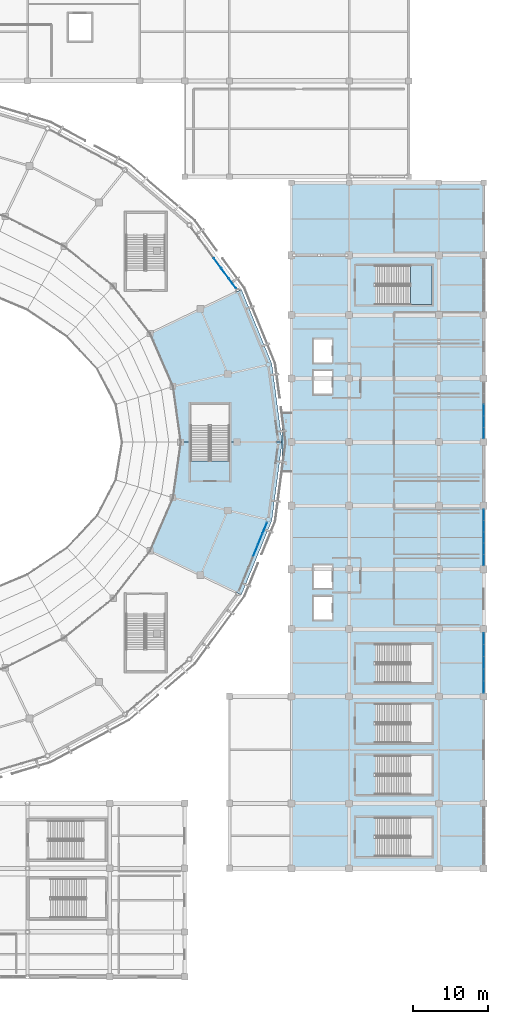
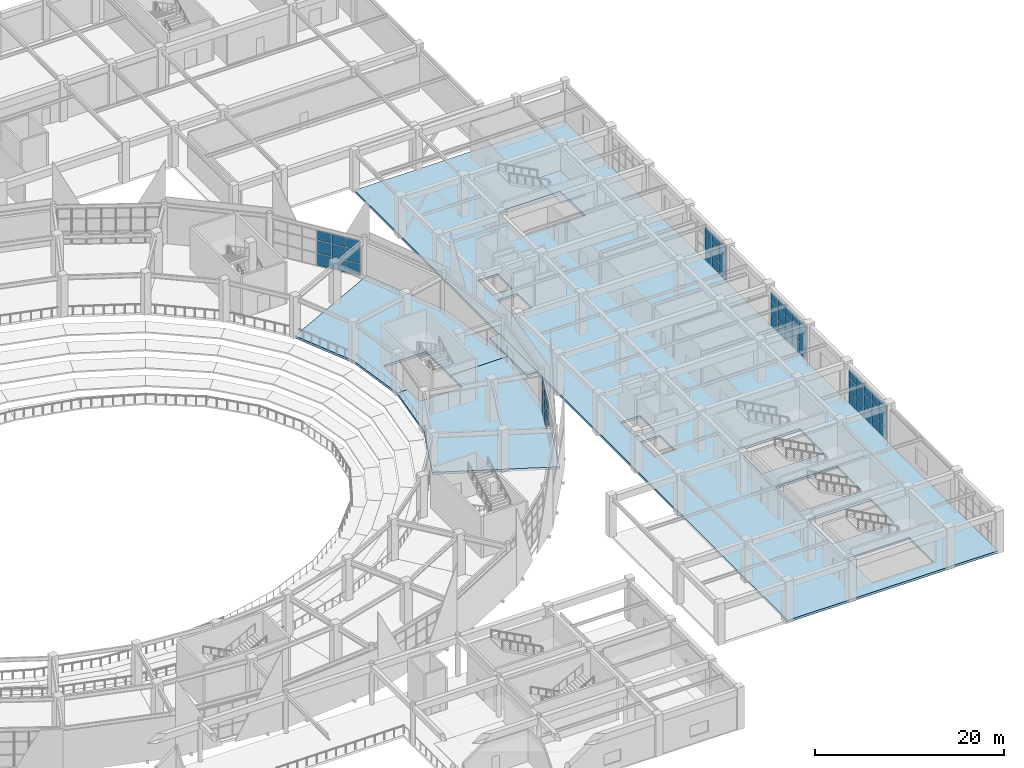
# One storey, part 68 of 120: 56 plates, 5 slabs, 6 elements without a shape of their own.
"""IFC4 building model written with IfcOpenShell, lengths in metres."""

from ifc_helpers import new_model, si_unit, direction, frame, origin, origin_2d, place, context, subcontext, project, spatial, polyline, rectangle, outline, extrude, material, layer, layer_set, type_object, element, aggregate, save


model = new_model("IFC4")

# Units and contexts
model_context = context("Model", 3, precision=1e-05, world=origin(), true_north=direction((0.0, 1.0)))
body_context = subcontext(model_context, "Body", "Model", "MODEL_VIEW")
ifc_project = project(units=[si_unit("LENGTHUNIT", "METRE"), si_unit("AREAUNIT", "SQUARE_METRE"), si_unit("VOLUMEUNIT", "CUBIC_METRE"), si_unit("PLANEANGLEUNIT", "RADIAN"), si_unit("MASSUNIT", "GRAM", prefix="KILO")], contexts=[model_context])

# Site, building, storey
site_placement = place(None, origin())
site = spatial("IfcSite", under=ifc_project, at=site_placement, CompositionType="ELEMENT")
building_placement = place(site_placement, origin())
building = spatial("IfcBuilding", under=site, at=building_placement, Name="Cuetzalor Civic Arena", CompositionType="ELEMENT")
storey_placement = place(building_placement, frame((0.0, 0.0, 6.0)))
storey = spatial("IfcBuildingStorey", under=building, at=storey_placement, Name="L01", CompositionType="ELEMENT", Elevation=6.0)

# Curtain wall, plates
ifc_material_1 = material(Name="Anodised dark bronze aluminium and low-E solar glass", Category="aluminium")
curtain_wall_type_1 = type_object("IfcCurtainWallType", Name="UnitisedCW_10150x4650", PredefinedType="USERDEFINED", material=ifc_material_1)
curtain_wall_1_placement = place(storey_placement, origin())
curtain_wall_1 = element("IfcCurtainWall", 1, at=curtain_wall_1_placement, inside=storey, type_object=curtain_wall_type_1, Name="Drum Triangle Foyer Curtain Wall L01-021", ObjectType="UNITISED CURTAIN WALL", PredefinedType="USERDEFINED")
ifc_material_2 = material(Name="Acoustic laminated solar control glass", Category="glass")
ifc_layer_1 = layer(ifc_material_2, 0.0439453125)
ifc_layer_set_1 = layer_set([ifc_layer_1], Name="Acoustic laminated solar control glass")
plate_type = type_object("IfcPlateType", Name="AcousticTripleGlazedPanel_44", PredefinedType="CURTAIN_PANEL", material=ifc_layer_set_1)
plate_1_placement = place(storey_placement, frame((46.399658203125, 23.9296875, 0.06982421875), z_axis=(0.0, 0.0, 1.0), x_axis=(0.59292931222, -0.805254513002, 0.0)))
plate_1 = element("IfcPlate", 2, at=plate_1_placement, type_object=plate_type, Name="CW-06 panel 4.1", PredefinedType="CURTAIN_PANEL", context=body_context, shape_type="SweptSolid", body=[
    extrude(rectangle(XDim=1.62060546875, YDim=0.0439453125, at=origin_2d()), origin(), (0.0, 0.0, 1.0), 1.570068359375),
])
plate_2_placement = place(storey_placement, frame((46.399658203125, 23.9296875, 1.7099609375), z_axis=(0.0, 0.0, 1.0), x_axis=(0.59292931222, -0.805254513002, 0.0)))
plate_2 = element("IfcPlate", 3, at=plate_2_placement, type_object=plate_type, Name="CW-06 panel 4.2", PredefinedType="CURTAIN_PANEL", context=body_context, shape_type="SweptSolid", body=[
    extrude(rectangle(XDim=1.62060546875, YDim=0.0439453125, at=origin_2d()), origin(), (0.0, 0.0, 1.0), 1.60498046875),
])
plate_3_placement = place(storey_placement, frame((46.399658203125, 23.9296875, 3.384765625), z_axis=(0.0, 0.0, 1.0), x_axis=(0.59292931222, -0.805254513002, 0.0)))
plate_3 = element("IfcPlate", 4, at=plate_3_placement, type_object=plate_type, Name="CW-06 panel 4.3", PredefinedType="CURTAIN_PANEL", context=body_context, shape_type="SweptSolid", body=[
    extrude(rectangle(XDim=1.62060546875, YDim=0.0439453125, at=origin_2d()), origin(), (0.0, 0.0, 1.0), 1.197998046875),
])
plate_4_placement = place(storey_placement, frame((47.402099609375, 22.568359375, 0.06982421875), z_axis=(0.0, 0.0, 1.0), x_axis=(0.59292931222, -0.805254513002, 0.0)))
plate_4 = element("IfcPlate", 5, at=plate_4_placement, type_object=plate_type, Name="CW-06 panel 5.1", PredefinedType="CURTAIN_PANEL", context=body_context, shape_type="SweptSolid", body=[
    extrude(rectangle(XDim=1.62060546875, YDim=0.0439453125, at=origin_2d()), origin(), (0.0, 0.0, 1.0), 1.570068359375),
])
plate_5_placement = place(storey_placement, frame((47.402099609375, 22.568359375, 1.7099609375), z_axis=(0.0, 0.0, 1.0), x_axis=(0.59292931222, -0.805254513002, 0.0)))
plate_5 = element("IfcPlate", 6, at=plate_5_placement, type_object=plate_type, Name="CW-06 panel 5.2", PredefinedType="CURTAIN_PANEL", context=body_context, shape_type="SweptSolid", body=[
    extrude(rectangle(XDim=1.62060546875, YDim=0.0439453125, at=origin_2d()), origin(), (0.0, 0.0, 1.0), 1.60498046875),
])
plate_6_placement = place(storey_placement, frame((47.402099609375, 22.568359375, 3.384765625), z_axis=(0.0, 0.0, 1.0), x_axis=(0.59292931222, -0.805254513002, 0.0)))
plate_6 = element("IfcPlate", 7, at=plate_6_placement, type_object=plate_type, Name="CW-06 panel 5.3", PredefinedType="CURTAIN_PANEL", context=body_context, shape_type="SweptSolid", body=[
    extrude(rectangle(XDim=1.62060546875, YDim=0.0439453125, at=origin_2d()), origin(), (0.0, 0.0, 1.0), 1.197998046875),
])
plate_7_placement = place(storey_placement, frame((48.39404296875, 21.220947265625, 0.06982421875), z_axis=(0.0, 0.0, 1.0), x_axis=(0.59292931222, -0.805254513002, 0.0)))
plate_7 = element("IfcPlate", 8, at=plate_7_placement, type_object=plate_type, Name="CW-06 panel 6.1", PredefinedType="CURTAIN_PANEL", context=body_context, shape_type="SweptSolid", body=[
    extrude(rectangle(XDim=1.585693359375, YDim=0.0439453125, at=origin_2d()), origin(), (0.0, 0.0, 1.0), 1.570068359375),
])
plate_8_placement = place(storey_placement, frame((48.39404296875, 21.220947265625, 1.7099609375), z_axis=(0.0, 0.0, 1.0), x_axis=(0.59292931222, -0.805254513002, 0.0)))
plate_8 = element("IfcPlate", 9, at=plate_8_placement, type_object=plate_type, Name="CW-06 panel 6.2", PredefinedType="CURTAIN_PANEL", context=body_context, shape_type="SweptSolid", body=[
    extrude(rectangle(XDim=1.585693359375, YDim=0.0439453125, at=origin_2d()), origin(), (0.0, 0.0, 1.0), 1.60498046875),
])
plate_9_placement = place(storey_placement, frame((48.39404296875, 21.220947265625, 3.384765625), z_axis=(0.0, 0.0, 1.0), x_axis=(0.59292931222, -0.805254513002, 0.0)))
plate_9 = element("IfcPlate", 10, at=plate_9_placement, type_object=plate_type, Name="CW-06 panel 6.3", PredefinedType="CURTAIN_PANEL", context=body_context, shape_type="SweptSolid", body=[
    extrude(rectangle(XDim=1.585693359375, YDim=0.0439453125, at=origin_2d()), origin(), (0.0, 0.0, 1.0), 1.197998046875),
])
aggregate(curtain_wall_1, [plate_1, plate_2, plate_3, plate_4, plate_5, plate_6, plate_7, plate_8, plate_9])

ifc_material_3 = material(Name="Anodised dark bronze aluminium and low-E solar glass", Category="aluminium")
curtain_wall_type_2 = type_object("IfcCurtainWallType", Name="UnitisedCW_9850x4650", PredefinedType="USERDEFINED", material=ifc_material_3)
curtain_wall_2_placement = place(storey_placement, origin())
curtain_wall_2 = element("IfcCurtainWall", 11, at=curtain_wall_2_placement, inside=storey, type_object=curtain_wall_type_2, Name="Drum Triangle Foyer Curtain Wall L01-032", ObjectType="UNITISED CURTAIN WALL", PredefinedType="USERDEFINED")
plate_10_placement = place(storey_placement, frame((52.719482421875, -11.4873046875, 0.06982421875), z_axis=(0.0, 0.0, 1.0), x_axis=(-0.379391428583, -0.925236263836, 0.0)))
plate_10 = element("IfcPlate", 12, at=plate_10_placement, type_object=plate_type, Name="CW-11 panel 1.1", PredefinedType="CURTAIN_PANEL", context=body_context, shape_type="SweptSolid", body=[
    extrude(rectangle(XDim=1.540771484375, YDim=0.0439453125, at=origin_2d()), origin(), (0.0, 0.0, 1.0), 1.570068359375),
])
plate_11_placement = place(storey_placement, frame((52.719482421875, -11.4873046875, 1.7099609375), z_axis=(0.0, 0.0, 1.0), x_axis=(-0.379391428583, -0.925236263836, 0.0)))
plate_11 = element("IfcPlate", 13, at=plate_11_placement, type_object=plate_type, Name="CW-11 panel 1.2", PredefinedType="CURTAIN_PANEL", context=body_context, shape_type="SweptSolid", body=[
    extrude(rectangle(XDim=1.540771484375, YDim=0.0439453125, at=origin_2d()), origin(), (0.0, 0.0, 1.0), 1.60498046875),
])
plate_12_placement = place(storey_placement, frame((52.719482421875, -11.4873046875, 3.384765625), z_axis=(0.0, 0.0, 1.0), x_axis=(-0.379391428583, -0.925236263836, 0.0)))
plate_12 = element("IfcPlate", 14, at=plate_12_placement, type_object=plate_type, Name="CW-11 panel 1.3", PredefinedType="CURTAIN_PANEL", context=body_context, shape_type="SweptSolid", body=[
    extrude(rectangle(XDim=1.540771484375, YDim=0.0439453125, at=origin_2d()), origin(), (0.0, 0.0, 1.0), 1.197998046875),
])
plate_13_placement = place(storey_placement, frame((52.1015625, -12.993896484375, 0.06982421875), z_axis=(0.0, 0.0, 1.0), x_axis=(-0.379391428583, -0.925236263836, 0.0)))
plate_13 = element("IfcPlate", 15, at=plate_13_placement, type_object=plate_type, Name="CW-11 panel 2.1", PredefinedType="CURTAIN_PANEL", context=body_context, shape_type="SweptSolid", body=[
    extrude(rectangle(XDim=1.57568359375, YDim=0.0439453125, at=origin_2d()), origin(), (0.0, 0.0, 1.0), 1.570068359375),
])
plate_14_placement = place(storey_placement, frame((52.1015625, -12.993896484375, 1.7099609375), z_axis=(0.0, 0.0, 1.0), x_axis=(-0.379391428583, -0.925236263836, 0.0)))
plate_14 = element("IfcPlate", 16, at=plate_14_placement, type_object=plate_type, Name="CW-11 panel 2.2", PredefinedType="CURTAIN_PANEL", context=body_context, shape_type="SweptSolid", body=[
    extrude(rectangle(XDim=1.57568359375, YDim=0.0439453125, at=origin_2d()), origin(), (0.0, 0.0, 1.0), 1.60498046875),
])
plate_15_placement = place(storey_placement, frame((52.1015625, -12.993896484375, 3.384765625), z_axis=(0.0, 0.0, 1.0), x_axis=(-0.379391428583, -0.925236263836, 0.0)))
plate_15 = element("IfcPlate", 17, at=plate_15_placement, type_object=plate_type, Name="CW-11 panel 2.3", PredefinedType="CURTAIN_PANEL", context=body_context, shape_type="SweptSolid", body=[
    extrude(rectangle(XDim=1.57568359375, YDim=0.0439453125, at=origin_2d()), origin(), (0.0, 0.0, 1.0), 1.197998046875),
])
plate_16_placement = place(storey_placement, frame((51.477294921875, -14.516357421875, 1.7099609375), z_axis=(0.0, 0.0, 1.0), x_axis=(-0.379391428583, -0.925236263836, 0.0)))
plate_16 = element("IfcPlate", 18, at=plate_16_placement, type_object=plate_type, Name="CW-11 panel 3.2", PredefinedType="CURTAIN_PANEL", context=body_context, shape_type="SweptSolid", body=[
    extrude(rectangle(XDim=1.57568359375, YDim=0.0439453125, at=origin_2d()), origin(), (0.0, 0.0, 1.0), 1.60498046875),
])
plate_17_placement = place(storey_placement, frame((51.477294921875, -14.516357421875, 3.384765625), z_axis=(0.0, 0.0, 1.0), x_axis=(-0.379391428583, -0.925236263836, 0.0)))
plate_17 = element("IfcPlate", 19, at=plate_17_placement, type_object=plate_type, Name="CW-11 panel 3.3", PredefinedType="CURTAIN_PANEL", context=body_context, shape_type="SweptSolid", body=[
    extrude(rectangle(XDim=1.57568359375, YDim=0.0439453125, at=origin_2d()), origin(), (0.0, 0.0, 1.0), 1.197998046875),
])
aggregate(curtain_wall_2, [plate_10, plate_11, plate_12, plate_13, plate_14, plate_15, plate_16, plate_17])

ifc_material_4 = material(Name="Anodised dark bronze aluminium and low-E solar glass", Category="aluminium")
curtain_wall_type_3 = type_object("IfcCurtainWallType", Name="UnitisedCW_8100x4450", PredefinedType="USERDEFINED", material=ifc_material_4)
curtain_wall_3_placement = place(storey_placement, origin())
curtain_wall_3 = element("IfcCurtainWall", 20, at=curtain_wall_3_placement, inside=storey, type_object=curtain_wall_type_3, Name="V4E Suite Viewing Curtain Wall L01-136", ObjectType="UNITISED CURTAIN WALL", PredefinedType="USERDEFINED")
plate_18_placement = place(storey_placement, frame((82.0, -26.28173828125, 0.06494140625), z_axis=(0.0, 0.0, 1.0), x_axis=(0.0, -1.0, 0.0)))
plate_18 = element("IfcPlate", 21, at=plate_18_placement, type_object=plate_type, Name="CW-37 panel 1.1", PredefinedType="CURTAIN_PANEL", context=body_context, shape_type="SweptSolid", body=[
    extrude(rectangle(XDim=1.519775390625, YDim=0.0439453125, at=origin_2d()), origin(), (0.0, 0.0, 1.0), 1.508544921875),
])
plate_19_placement = place(storey_placement, frame((82.0, -26.28173828125, 1.638427734375), z_axis=(0.0, 0.0, 1.0), x_axis=(0.0, -1.0, 0.0)))
plate_19 = element("IfcPlate", 22, at=plate_19_placement, type_object=plate_type, Name="CW-37 panel 1.2", PredefinedType="CURTAIN_PANEL", context=body_context, shape_type="SweptSolid", body=[
    extrude(rectangle(XDim=1.519775390625, YDim=0.0439453125, at=origin_2d()), origin(), (0.0, 0.0, 1.0), 1.5400390625),
])
plate_20_placement = place(storey_placement, frame((82.0, -26.28173828125, 3.24365234375), z_axis=(0.0, 0.0, 1.0), x_axis=(0.0, -1.0, 0.0)))
plate_20 = element("IfcPlate", 23, at=plate_20_placement, type_object=plate_type, Name="CW-37 panel 1.3", PredefinedType="CURTAIN_PANEL", context=body_context, shape_type="SweptSolid", body=[
    extrude(rectangle(XDim=1.519775390625, YDim=0.0439453125, at=origin_2d()), origin(), (0.0, 0.0, 1.0), 1.151611328125),
])
plate_21_placement = place(storey_placement, frame((82.0, -27.8828125, 0.06494140625), z_axis=(0.0, 0.0, 1.0), x_axis=(0.0, -1.0, 0.0)))
plate_21 = element("IfcPlate", 24, at=plate_21_placement, type_object=plate_type, Name="CW-37 panel 2.1", PredefinedType="CURTAIN_PANEL", context=body_context, shape_type="SweptSolid", body=[
    extrude(rectangle(XDim=1.55224609375, YDim=0.0439453125, at=origin_2d()), origin(), (0.0, 0.0, 1.0), 1.508544921875),
])
plate_22_placement = place(storey_placement, frame((82.0, -27.8828125, 1.638427734375), z_axis=(0.0, 0.0, 1.0), x_axis=(0.0, -1.0, 0.0)))
plate_22 = element("IfcPlate", 25, at=plate_22_placement, type_object=plate_type, Name="CW-37 panel 2.2", PredefinedType="CURTAIN_PANEL", context=body_context, shape_type="SweptSolid", body=[
    extrude(rectangle(XDim=1.55224609375, YDim=0.0439453125, at=origin_2d()), origin(), (0.0, 0.0, 1.0), 1.5400390625),
])
plate_23_placement = place(storey_placement, frame((82.0, -27.8828125, 3.24365234375), z_axis=(0.0, 0.0, 1.0), x_axis=(0.0, -1.0, 0.0)))
plate_23 = element("IfcPlate", 26, at=plate_23_placement, type_object=plate_type, Name="CW-37 panel 2.3", PredefinedType="CURTAIN_PANEL", context=body_context, shape_type="SweptSolid", body=[
    extrude(rectangle(XDim=1.55224609375, YDim=0.0439453125, at=origin_2d()), origin(), (0.0, 0.0, 1.0), 1.151611328125),
])
plate_24_placement = place(storey_placement, frame((82.0, -29.5, 0.06494140625), z_axis=(0.0, 0.0, 1.0), x_axis=(0.0, -1.0, 0.0)))
plate_24 = element("IfcPlate", 27, at=plate_24_placement, type_object=plate_type, Name="CW-37 panel 3.1", PredefinedType="CURTAIN_PANEL", context=body_context, shape_type="SweptSolid", body=[
    extrude(rectangle(XDim=1.55224609375, YDim=0.0439453125, at=origin_2d()), origin(), (0.0, 0.0, 1.0), 1.508544921875),
])
plate_25_placement = place(storey_placement, frame((82.0, -29.5, 1.638427734375), z_axis=(0.0, 0.0, 1.0), x_axis=(0.0, -1.0, 0.0)))
plate_25 = element("IfcPlate", 28, at=plate_25_placement, type_object=plate_type, Name="CW-37 panel 3.2", PredefinedType="CURTAIN_PANEL", context=body_context, shape_type="SweptSolid", body=[
    extrude(rectangle(XDim=1.55224609375, YDim=0.0439453125, at=origin_2d()), origin(), (0.0, 0.0, 1.0), 1.5400390625),
])
plate_26_placement = place(storey_placement, frame((82.0, -29.5, 3.24365234375), z_axis=(0.0, 0.0, 1.0), x_axis=(0.0, -1.0, 0.0)))
plate_26 = element("IfcPlate", 29, at=plate_26_placement, type_object=plate_type, Name="CW-37 panel 3.3", PredefinedType="CURTAIN_PANEL", context=body_context, shape_type="SweptSolid", body=[
    extrude(rectangle(XDim=1.55224609375, YDim=0.0439453125, at=origin_2d()), origin(), (0.0, 0.0, 1.0), 1.151611328125),
])
plate_27_placement = place(storey_placement, frame((82.0, -31.1171875, 0.06494140625), z_axis=(0.0, 0.0, 1.0), x_axis=(0.0, -1.0, 0.0)))
plate_27 = element("IfcPlate", 30, at=plate_27_placement, type_object=plate_type, Name="CW-37 panel 4.1", PredefinedType="CURTAIN_PANEL", context=body_context, shape_type="SweptSolid", body=[
    extrude(rectangle(XDim=1.55224609375, YDim=0.0439453125, at=origin_2d()), origin(), (0.0, 0.0, 1.0), 1.508544921875),
])
plate_28_placement = place(storey_placement, frame((82.0, -31.1171875, 1.638427734375), z_axis=(0.0, 0.0, 1.0), x_axis=(0.0, -1.0, 0.0)))
plate_28 = element("IfcPlate", 31, at=plate_28_placement, type_object=plate_type, Name="CW-37 panel 4.2", PredefinedType="CURTAIN_PANEL", context=body_context, shape_type="SweptSolid", body=[
    extrude(rectangle(XDim=1.55224609375, YDim=0.0439453125, at=origin_2d()), origin(), (0.0, 0.0, 1.0), 1.5400390625),
])
plate_29_placement = place(storey_placement, frame((82.0, -31.1171875, 3.24365234375), z_axis=(0.0, 0.0, 1.0), x_axis=(0.0, -1.0, 0.0)))
plate_29 = element("IfcPlate", 32, at=plate_29_placement, type_object=plate_type, Name="CW-37 panel 4.3", PredefinedType="CURTAIN_PANEL", context=body_context, shape_type="SweptSolid", body=[
    extrude(rectangle(XDim=1.55224609375, YDim=0.0439453125, at=origin_2d()), origin(), (0.0, 0.0, 1.0), 1.151611328125),
])
plate_30_placement = place(storey_placement, frame((82.0, -32.71826171875, 0.06494140625), z_axis=(0.0, 0.0, 1.0), x_axis=(0.0, -1.0, 0.0)))
plate_30 = element("IfcPlate", 33, at=plate_30_placement, type_object=plate_type, Name="CW-37 panel 5.1", PredefinedType="CURTAIN_PANEL", context=body_context, shape_type="SweptSolid", body=[
    extrude(rectangle(XDim=1.519775390625, YDim=0.0439453125, at=origin_2d()), origin(), (0.0, 0.0, 1.0), 1.508544921875),
])
plate_31_placement = place(storey_placement, frame((82.0, -32.71826171875, 1.638427734375), z_axis=(0.0, 0.0, 1.0), x_axis=(0.0, -1.0, 0.0)))
plate_31 = element("IfcPlate", 34, at=plate_31_placement, type_object=plate_type, Name="CW-37 panel 5.2", PredefinedType="CURTAIN_PANEL", context=body_context, shape_type="SweptSolid", body=[
    extrude(rectangle(XDim=1.519775390625, YDim=0.0439453125, at=origin_2d()), origin(), (0.0, 0.0, 1.0), 1.5400390625),
])
plate_32_placement = place(storey_placement, frame((82.0, -32.71826171875, 3.24365234375), z_axis=(0.0, 0.0, 1.0), x_axis=(0.0, -1.0, 0.0)))
plate_32 = element("IfcPlate", 35, at=plate_32_placement, type_object=plate_type, Name="CW-37 panel 5.3", PredefinedType="CURTAIN_PANEL", context=body_context, shape_type="SweptSolid", body=[
    extrude(rectangle(XDim=1.519775390625, YDim=0.0439453125, at=origin_2d()), origin(), (0.0, 0.0, 1.0), 1.151611328125),
])
aggregate(curtain_wall_3, [plate_18, plate_19, plate_20, plate_21, plate_22, plate_23, plate_24, plate_25, plate_26, plate_27, plate_28, plate_29, plate_30, plate_31, plate_32])

ifc_material_5 = material(Name="Anodised dark bronze aluminium and low-E solar glass", Category="aluminium")
curtain_wall_type_4 = type_object("IfcCurtainWallType", Name="UnitisedCW_7600x4450", PredefinedType="USERDEFINED", material=ifc_material_5)
curtain_wall_4_placement = place(storey_placement, origin())
curtain_wall_4 = element("IfcCurtainWall", 36, at=curtain_wall_4_placement, inside=storey, type_object=curtain_wall_type_4, Name="V4E Suite Viewing Curtain Wall L01-137", ObjectType="UNITISED CURTAIN WALL", PredefinedType="USERDEFINED")
plate_33_placement = place(storey_placement, frame((82.0, -9.73193359375, 0.06494140625), z_axis=(0.0, 0.0, 1.0), x_axis=(0.0, -1.0, 0.0)))
plate_33 = element("IfcPlate", 37, at=plate_33_placement, type_object=plate_type, Name="CW-38 panel 1.1", PredefinedType="CURTAIN_PANEL", context=body_context, shape_type="SweptSolid", body=[
    extrude(rectangle(XDim=1.419677734375, YDim=0.0439453125, at=origin_2d()), origin(), (0.0, 0.0, 1.0), 1.508544921875),
])
plate_34_placement = place(storey_placement, frame((82.0, -9.73193359375, 1.638427734375), z_axis=(0.0, 0.0, 1.0), x_axis=(0.0, -1.0, 0.0)))
plate_34 = element("IfcPlate", 38, at=plate_34_placement, type_object=plate_type, Name="CW-38 panel 1.2", PredefinedType="CURTAIN_PANEL", context=body_context, shape_type="SweptSolid", body=[
    extrude(rectangle(XDim=1.419677734375, YDim=0.0439453125, at=origin_2d()), origin(), (0.0, 0.0, 1.0), 1.5400390625),
])
plate_35_placement = place(storey_placement, frame((82.0, -9.73193359375, 3.24365234375), z_axis=(0.0, 0.0, 1.0), x_axis=(0.0, -1.0, 0.0)))
plate_35 = element("IfcPlate", 39, at=plate_35_placement, type_object=plate_type, Name="CW-38 panel 1.3", PredefinedType="CURTAIN_PANEL", context=body_context, shape_type="SweptSolid", body=[
    extrude(rectangle(XDim=1.419677734375, YDim=0.0439453125, at=origin_2d()), origin(), (0.0, 0.0, 1.0), 1.151611328125),
])
plate_36_placement = place(storey_placement, frame((82.0, -11.23291015625, 0.06494140625), z_axis=(0.0, 0.0, 1.0), x_axis=(0.0, -1.0, 0.0)))
plate_36 = element("IfcPlate", 40, at=plate_36_placement, type_object=plate_type, Name="CW-38 panel 2.1", PredefinedType="CURTAIN_PANEL", context=body_context, shape_type="SweptSolid", body=[
    extrude(rectangle(XDim=1.4521484375, YDim=0.0439453125, at=origin_2d()), origin(), (0.0, 0.0, 1.0), 1.508544921875),
])
plate_37_placement = place(storey_placement, frame((82.0, -11.23291015625, 1.638427734375), z_axis=(0.0, 0.0, 1.0), x_axis=(0.0, -1.0, 0.0)))
plate_37 = element("IfcPlate", 41, at=plate_37_placement, type_object=plate_type, Name="CW-38 panel 2.2", PredefinedType="CURTAIN_PANEL", context=body_context, shape_type="SweptSolid", body=[
    extrude(rectangle(XDim=1.4521484375, YDim=0.0439453125, at=origin_2d()), origin(), (0.0, 0.0, 1.0), 1.5400390625),
])
plate_38_placement = place(storey_placement, frame((82.0, -11.23291015625, 3.24365234375), z_axis=(0.0, 0.0, 1.0), x_axis=(0.0, -1.0, 0.0)))
plate_38 = element("IfcPlate", 42, at=plate_38_placement, type_object=plate_type, Name="CW-38 panel 2.3", PredefinedType="CURTAIN_PANEL", context=body_context, shape_type="SweptSolid", body=[
    extrude(rectangle(XDim=1.4521484375, YDim=0.0439453125, at=origin_2d()), origin(), (0.0, 0.0, 1.0), 1.151611328125),
])
plate_39_placement = place(storey_placement, frame((82.0, -12.75, 0.06494140625), z_axis=(0.0, 0.0, 1.0), x_axis=(0.0, -1.0, 0.0)))
plate_39 = element("IfcPlate", 43, at=plate_39_placement, type_object=plate_type, Name="CW-38 panel 3.1", PredefinedType="CURTAIN_PANEL", context=body_context, shape_type="SweptSolid", body=[
    extrude(rectangle(XDim=1.4521484375, YDim=0.0439453125, at=origin_2d()), origin(), (0.0, 0.0, 1.0), 1.508544921875),
])
plate_40_placement = place(storey_placement, frame((82.0, -12.75, 1.638427734375), z_axis=(0.0, 0.0, 1.0), x_axis=(0.0, -1.0, 0.0)))
plate_40 = element("IfcPlate", 44, at=plate_40_placement, type_object=plate_type, Name="CW-38 panel 3.2", PredefinedType="CURTAIN_PANEL", context=body_context, shape_type="SweptSolid", body=[
    extrude(rectangle(XDim=1.4521484375, YDim=0.0439453125, at=origin_2d()), origin(), (0.0, 0.0, 1.0), 1.5400390625),
])
plate_41_placement = place(storey_placement, frame((82.0, -12.75, 3.24365234375), z_axis=(0.0, 0.0, 1.0), x_axis=(0.0, -1.0, 0.0)))
plate_41 = element("IfcPlate", 45, at=plate_41_placement, type_object=plate_type, Name="CW-38 panel 3.3", PredefinedType="CURTAIN_PANEL", context=body_context, shape_type="SweptSolid", body=[
    extrude(rectangle(XDim=1.4521484375, YDim=0.0439453125, at=origin_2d()), origin(), (0.0, 0.0, 1.0), 1.151611328125),
])
plate_42_placement = place(storey_placement, frame((82.0, -14.26708984375, 0.06494140625), z_axis=(0.0, 0.0, 1.0), x_axis=(0.0, -1.0, 0.0)))
plate_42 = element("IfcPlate", 46, at=plate_42_placement, type_object=plate_type, Name="CW-38 panel 4.1", PredefinedType="CURTAIN_PANEL", context=body_context, shape_type="SweptSolid", body=[
    extrude(rectangle(XDim=1.4521484375, YDim=0.0439453125, at=origin_2d()), origin(), (0.0, 0.0, 1.0), 1.508544921875),
])
plate_43_placement = place(storey_placement, frame((82.0, -14.26708984375, 1.638427734375), z_axis=(0.0, 0.0, 1.0), x_axis=(0.0, -1.0, 0.0)))
plate_43 = element("IfcPlate", 47, at=plate_43_placement, type_object=plate_type, Name="CW-38 panel 4.2", PredefinedType="CURTAIN_PANEL", context=body_context, shape_type="SweptSolid", body=[
    extrude(rectangle(XDim=1.4521484375, YDim=0.0439453125, at=origin_2d()), origin(), (0.0, 0.0, 1.0), 1.5400390625),
])
plate_44_placement = place(storey_placement, frame((82.0, -14.26708984375, 3.24365234375), z_axis=(0.0, 0.0, 1.0), x_axis=(0.0, -1.0, 0.0)))
plate_44 = element("IfcPlate", 48, at=plate_44_placement, type_object=plate_type, Name="CW-38 panel 4.3", PredefinedType="CURTAIN_PANEL", context=body_context, shape_type="SweptSolid", body=[
    extrude(rectangle(XDim=1.4521484375, YDim=0.0439453125, at=origin_2d()), origin(), (0.0, 0.0, 1.0), 1.151611328125),
])
plate_45_placement = place(storey_placement, frame((82.0, -15.76806640625, 0.06494140625), z_axis=(0.0, 0.0, 1.0), x_axis=(0.0, -1.0, 0.0)))
plate_45 = element("IfcPlate", 49, at=plate_45_placement, type_object=plate_type, Name="CW-38 panel 5.1", PredefinedType="CURTAIN_PANEL", context=body_context, shape_type="SweptSolid", body=[
    extrude(rectangle(XDim=1.419677734375, YDim=0.0439453125, at=origin_2d()), origin(), (0.0, 0.0, 1.0), 1.508544921875),
])
plate_46_placement = place(storey_placement, frame((82.0, -15.76806640625, 1.638427734375), z_axis=(0.0, 0.0, 1.0), x_axis=(0.0, -1.0, 0.0)))
plate_46 = element("IfcPlate", 50, at=plate_46_placement, type_object=plate_type, Name="CW-38 panel 5.2", PredefinedType="CURTAIN_PANEL", context=body_context, shape_type="SweptSolid", body=[
    extrude(rectangle(XDim=1.419677734375, YDim=0.0439453125, at=origin_2d()), origin(), (0.0, 0.0, 1.0), 1.5400390625),
])
plate_47_placement = place(storey_placement, frame((82.0, -15.76806640625, 3.24365234375), z_axis=(0.0, 0.0, 1.0), x_axis=(0.0, -1.0, 0.0)))
plate_47 = element("IfcPlate", 51, at=plate_47_placement, type_object=plate_type, Name="CW-38 panel 5.3", PredefinedType="CURTAIN_PANEL", context=body_context, shape_type="SweptSolid", body=[
    extrude(rectangle(XDim=1.419677734375, YDim=0.0439453125, at=origin_2d()), origin(), (0.0, 0.0, 1.0), 1.151611328125),
])
aggregate(curtain_wall_4, [plate_33, plate_34, plate_35, plate_36, plate_37, plate_38, plate_39, plate_40, plate_41, plate_42, plate_43, plate_44, plate_45, plate_46, plate_47])

curtain_wall_5_placement = place(storey_placement, origin())
curtain_wall_5 = element("IfcCurtainWall", 52, at=curtain_wall_5_placement, inside=storey, type_object=curtain_wall_type_4, Name="V4E Suite Viewing Curtain Wall L01-138", ObjectType="UNITISED CURTAIN WALL", PredefinedType="USERDEFINED")
plate_48_placement = place(storey_placement, frame((82.0, 4.25, 0.06494140625), z_axis=(0.0, 0.0, 1.0), x_axis=(0.0, -1.0, 0.0)))
plate_48 = element("IfcPlate", 53, at=plate_48_placement, type_object=plate_type, Name="CW-38 panel 3.1", PredefinedType="CURTAIN_PANEL", context=body_context, shape_type="SweptSolid", body=[
    extrude(rectangle(XDim=1.4521484375, YDim=0.0439453125, at=origin_2d()), origin(), (0.0, 0.0, 1.0), 1.508544921875),
])
plate_49_placement = place(storey_placement, frame((82.0, 4.25, 1.638427734375), z_axis=(0.0, 0.0, 1.0), x_axis=(0.0, -1.0, 0.0)))
plate_49 = element("IfcPlate", 54, at=plate_49_placement, type_object=plate_type, Name="CW-38 panel 3.2", PredefinedType="CURTAIN_PANEL", context=body_context, shape_type="SweptSolid", body=[
    extrude(rectangle(XDim=1.4521484375, YDim=0.0439453125, at=origin_2d()), origin(), (0.0, 0.0, 1.0), 1.5400390625),
])
plate_50_placement = place(storey_placement, frame((82.0, 4.25, 3.24365234375), z_axis=(0.0, 0.0, 1.0), x_axis=(0.0, -1.0, 0.0)))
plate_50 = element("IfcPlate", 55, at=plate_50_placement, type_object=plate_type, Name="CW-38 panel 3.3", PredefinedType="CURTAIN_PANEL", context=body_context, shape_type="SweptSolid", body=[
    extrude(rectangle(XDim=1.4521484375, YDim=0.0439453125, at=origin_2d()), origin(), (0.0, 0.0, 1.0), 1.151611328125),
])
plate_51_placement = place(storey_placement, frame((82.0, 2.73291015625, 0.06494140625), z_axis=(0.0, 0.0, 1.0), x_axis=(0.0, -1.0, 0.0)))
plate_51 = element("IfcPlate", 56, at=plate_51_placement, type_object=plate_type, Name="CW-38 panel 4.1", PredefinedType="CURTAIN_PANEL", context=body_context, shape_type="SweptSolid", body=[
    extrude(rectangle(XDim=1.4521484375, YDim=0.0439453125, at=origin_2d()), origin(), (0.0, 0.0, 1.0), 1.508544921875),
])
plate_52_placement = place(storey_placement, frame((82.0, 2.73291015625, 1.638427734375), z_axis=(0.0, 0.0, 1.0), x_axis=(0.0, -1.0, 0.0)))
plate_52 = element("IfcPlate", 57, at=plate_52_placement, type_object=plate_type, Name="CW-38 panel 4.2", PredefinedType="CURTAIN_PANEL", context=body_context, shape_type="SweptSolid", body=[
    extrude(rectangle(XDim=1.4521484375, YDim=0.0439453125, at=origin_2d()), origin(), (0.0, 0.0, 1.0), 1.5400390625),
])
plate_53_placement = place(storey_placement, frame((82.0, 2.73291015625, 3.24365234375), z_axis=(0.0, 0.0, 1.0), x_axis=(0.0, -1.0, 0.0)))
plate_53 = element("IfcPlate", 58, at=plate_53_placement, type_object=plate_type, Name="CW-38 panel 4.3", PredefinedType="CURTAIN_PANEL", context=body_context, shape_type="SweptSolid", body=[
    extrude(rectangle(XDim=1.4521484375, YDim=0.0439453125, at=origin_2d()), origin(), (0.0, 0.0, 1.0), 1.151611328125),
])
plate_54_placement = place(storey_placement, frame((82.0, 1.23193359375, 0.06494140625), z_axis=(0.0, 0.0, 1.0), x_axis=(0.0, -1.0, 0.0)))
plate_54 = element("IfcPlate", 59, at=plate_54_placement, type_object=plate_type, Name="CW-38 panel 5.1", PredefinedType="CURTAIN_PANEL", context=body_context, shape_type="SweptSolid", body=[
    extrude(rectangle(XDim=1.419677734375, YDim=0.0439453125, at=origin_2d()), origin(), (0.0, 0.0, 1.0), 1.508544921875),
])
plate_55_placement = place(storey_placement, frame((82.0, 1.23193359375, 1.638427734375), z_axis=(0.0, 0.0, 1.0), x_axis=(0.0, -1.0, 0.0)))
plate_55 = element("IfcPlate", 60, at=plate_55_placement, type_object=plate_type, Name="CW-38 panel 5.2", PredefinedType="CURTAIN_PANEL", context=body_context, shape_type="SweptSolid", body=[
    extrude(rectangle(XDim=1.419677734375, YDim=0.0439453125, at=origin_2d()), origin(), (0.0, 0.0, 1.0), 1.5400390625),
])
plate_56_placement = place(storey_placement, frame((82.0, 1.23193359375, 3.24365234375), z_axis=(0.0, 0.0, 1.0), x_axis=(0.0, -1.0, 0.0)))
plate_56 = element("IfcPlate", 61, at=plate_56_placement, type_object=plate_type, Name="CW-38 panel 5.3", PredefinedType="CURTAIN_PANEL", context=body_context, shape_type="SweptSolid", body=[
    extrude(rectangle(XDim=1.419677734375, YDim=0.0439453125, at=origin_2d()), origin(), (0.0, 0.0, 1.0), 1.151611328125),
])
aggregate(curtain_wall_5, [plate_48, plate_49, plate_50, plate_51, plate_52, plate_53, plate_54, plate_55, plate_56])

# Slabs
ifc_material_6 = material(Name="Concrete C40/50", Category="concrete")
ifc_layer_2 = layer(ifc_material_6, 0.260009765625)
ifc_layer_set_2 = layer_set([ifc_layer_2], Name="Concrete C40/50")
slab_type_1 = type_object("IfcSlabType", Name="BridgeDeckSlab_260", PredefinedType="FLOOR", material=ifc_layer_set_2)
slab_1_placement = place(storey_placement, frame((0.0, 0.0, -0.260009765625)))
element("IfcSlab", 62, at=slab_1_placement, inside=storey, type_object=slab_type_1, Name="Seismic Joint Circulation Bridge V4E L01", PredefinedType="FLOOR", context=body_context, shape_type="SweptSolid", body=[
    extrude(outline(polyline([(55.030029296875, -4.0), (56.320068359375, -4.0), (56.320068359375, 4.0), (55.030029296875, 4.0), (55.030029296875, -4.0)])), origin(), (0.0, 0.0, 1.0), 0.260009765625),
])
ifc_material_7 = material(Name="Concrete C35/45", Category="concrete")
ifc_layer_3 = layer(ifc_material_7, 0.300048828125)
ifc_layer_set_3 = layer_set([ifc_layer_3], Name="Concrete C35/45")
slab_type_2 = type_object("IfcSlabType", Name="ConcourseFloorSlab_300", PredefinedType="FLOOR", material=ifc_layer_set_3)
slab_2_placement = place(storey_placement, frame((0.0, 0.0, -0.300048828125)))
element("IfcSlab", 63, at=slab_2_placement, inside=storey, type_object=slab_type_2, Name="Arena Concourse Sector Slab L01-01", PredefinedType="FLOOR", context=body_context, shape_type="SweptSolid", body=[
    extrude(outline(polyline([(40.45947265625, 7.45458984375), (37.39013671875, 14.53515625), (49.598388671875, 20.414306640625), (53.669921875, 10.469482421875), (55.050048828125, 0.0), (48.0, 0.0), (48.0, 5.10009765625), (42.800048828125, 5.10009765625), (42.800048828125, 0.0), (41.5, 0.0), (40.45947265625, 7.45458984375)])), origin(), (0.0, 0.0, 1.0), 0.300048828125),
])
slab_3_placement = place(storey_placement, frame((0.0, 0.0, -0.300048828125)))
element("IfcSlab", 64, at=slab_3_placement, inside=storey, type_object=slab_type_2, Name="Arena Concourse Sector Slab L01-14", PredefinedType="FLOOR", context=body_context, shape_type="SweptSolid", body=[
    extrude(outline(polyline([(40.45947265625, -7.45458984375), (41.5, 0.0), (42.800048828125, 0.0), (42.800048828125, -2.5), (48.0, -2.5), (48.0, 0.0), (55.050048828125, 0.0), (53.669921875, -10.469482421875), (49.598388671875, -20.414306640625), (37.39013671875, -14.53515625), (40.45947265625, -7.45458984375)])), origin(), (0.0, 0.0, 1.0), 0.300048828125),
])
slab_4_placement = place(storey_placement, frame((0.0, 0.0, -0.300048828125)))
element("IfcSlab", 65, at=slab_4_placement, inside=storey, type_object=slab_type_2, Name="V4E Concourse and Suite Floor Slab L01", PredefinedType="FLOOR", context=body_context, shape_type="SweptSolid", body=[
    extrude(outline(polyline([(56.300048828125, -57.0), (82.0, -57.0), (82.0, 34.699951171875), (56.300048828125, 34.699951171875), (56.300048828125, -57.0)]), holes=[polyline([(67.5, -55.39990234375), (75.10009765625, -55.39990234375), (75.10009765625, -50.199951171875), (67.5, -50.199951171875), (67.5, -55.39990234375)]), polyline([(67.5, -47.10009765625), (75.10009765625, -47.10009765625), (75.10009765625, -41.89990234375), (67.5, -41.89990234375), (67.5, -47.10009765625)]), polyline([(67.5, -40.199951171875), (75.10009765625, -40.199951171875), (75.10009765625, -35.0), (67.5, -35.0), (67.5, -40.199951171875)]), polyline([(67.5, -32.199951171875), (75.10009765625, -32.199951171875), (75.10009765625, -27.0), (67.5, -27.0), (67.5, -32.199951171875)]), polyline([(67.5, 18.39990234375), (75.10009765625, 18.39990234375), (75.10009765625, 23.60009765625), (67.5, 23.60009765625), (67.5, 18.39990234375)]), polyline([(59.300048828125, -19.550048828125), (61.699951171875, -19.550048828125), (61.699951171875, -16.449951171875), (59.300048828125, -16.449951171875), (59.300048828125, -19.550048828125)]), polyline([(59.300048828125, 6.449951171875), (61.699951171875, 6.449951171875), (61.699951171875, 9.550048828125), (59.300048828125, 9.550048828125), (59.300048828125, 6.449951171875)]), polyline([(59.300048828125, -23.75), (61.699951171875, -23.75), (61.699951171875, -20.64990234375), (59.300048828125, -20.64990234375), (59.300048828125, -23.75)]), polyline([(59.300048828125, 10.64990234375), (61.699951171875, 10.64990234375), (61.699951171875, 13.75), (59.300048828125, 13.75), (59.300048828125, 10.64990234375)])]), origin(), (0.0, 0.0, 1.0), 0.300048828125),
])

# Stair, slab
ifc_material_8 = material(Name="Precast concrete C40/50", Category="concrete")
stair_type = type_object("IfcStairType", Name="EnclosedExitStair_H540", PredefinedType="HALF_TURN_STAIR", material=ifc_material_8)
stair_placement = place(storey_placement, origin())
stair = element("IfcStair", 66, at=stair_placement, inside=storey, type_object=stair_type, Name="L01 Enclosed Exit Stair ST-22", PredefinedType="HALF_TURN_STAIR")
ifc_material_9 = material(Name="Concrete C40/50", Category="concrete")
ifc_layer_4 = layer(ifc_material_9, 0.199951171875)
ifc_layer_set_4 = layer_set([ifc_layer_4], Name="Concrete C40/50")
slab_type_3 = type_object("IfcSlabType", Name="StairHalfLandingSlab_200", PredefinedType="LANDING", material=ifc_layer_set_4)
slab_5_placement = place(storey_placement, frame((0.0, 0.0, 2.5)))
slab_5 = element("IfcSlab", 67, at=slab_5_placement, type_object=slab_type_3, Name="ST-22 landing 1", PredefinedType="LANDING", context=body_context, shape_type="SweptSolid", body=[
    extrude(outline(polyline([(72.219970703125, 18.39990234375), (75.10009765625, 18.39990234375), (75.10009765625, 23.60009765625), (72.219970703125, 23.60009765625), (72.219970703125, 18.39990234375)])), origin(), (0.0, 0.0, 1.0), 0.199951171875),
])
aggregate(stair, [slab_5])

save(model, "model.ifc")
